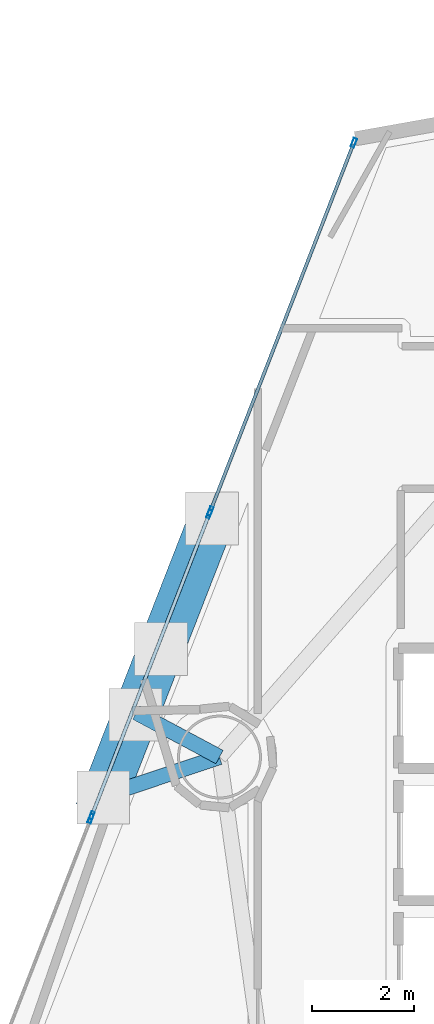
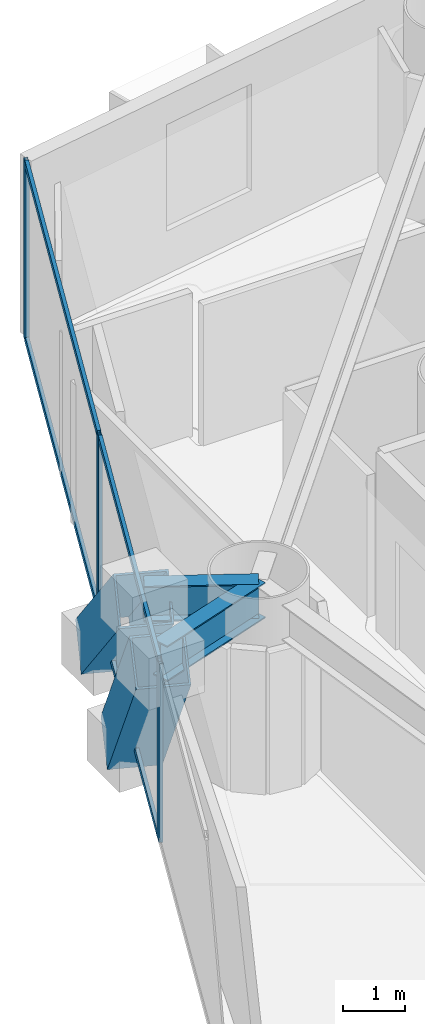
# One storey, part 8 of 23: 11 members, 2 beams, 3 elements without a shape of their own.
"""IFC4 building model written with IfcOpenShell, lengths in metres."""

from ifc_helpers import new_model, si_unit, direction, frame, origin, origin_2d, place, context, subcontext, project, spatial, hollow_rectangle, i_section, extrude, material, layer, layer_set, material_profile, profile_set, type_object, element, aggregate, save


model = new_model("IFC4")

# Units and contexts
model_context = context("Model", 3, precision=1e-05, world=origin(), true_north=direction((0.0, 1.0)))
body_context = subcontext(model_context, "Body", "Model", "MODEL_VIEW")
ifc_project = project(units=[si_unit("LENGTHUNIT", "METRE"), si_unit("AREAUNIT", "SQUARE_METRE"), si_unit("VOLUMEUNIT", "CUBIC_METRE"), si_unit("PLANEANGLEUNIT", "RADIAN"), si_unit("MASSUNIT", "GRAM", prefix="KILO")], contexts=[model_context])

# Site, building, storey
site_placement = place(None, origin())
site = spatial("IfcSite", under=ifc_project, at=site_placement, CompositionType="ELEMENT")
building_placement = place(site_placement, origin())
building = spatial("IfcBuilding", under=site, at=building_placement, Name="Qianvela Tower", CompositionType="ELEMENT")
storey_placement = place(building_placement, frame((0.0, 0.0, 56.199951171875)))
storey = spatial("IfcBuildingStorey", under=building, at=storey_placement, Name="L13", CompositionType="ELEMENT", Elevation=56.199951171875)

# Beams
ifc_material_1 = material(Name="Steel Q355B", Category="steel")
ifc_material_profile_1 = material_profile(ifc_material_1, i_section(OverallWidth=0.300048828125, OverallDepth=0.699951171875, WebThickness=0.012939453125, FlangeThickness=0.02392578125, at=origin_2d()), Name="HN700x300x13x24")
ifc_profile_set_1 = profile_set([ifc_material_profile_1], Name="Steel Q355B")
beam_type = type_object("IfcBeamType", Name="BM-HN700-SPAND", PredefinedType="SPANDREL", material=ifc_profile_set_1)
beam_1_placement = place(storey_placement, frame((22.8291015625, 30.340087890625, 3.16796875), z_axis=(-0.882181602051, 0.4709093554, 0.0), x_axis=(-0.4709093554, -0.882181602051, 0.0)))
element("IfcBeam", 1, at=beam_1_placement, inside=storey, type_object=beam_type, Name="L13 Mega-Brace Column Tie Bracket F2-1", PredefinedType="SPANDREL", context=body_context, shape_type="SweptSolid", body=[
    extrude(i_section(OverallWidth=0.300048828125, OverallDepth=0.699951171875, WebThickness=0.012939453125, FlangeThickness=0.02392578125, at=origin_2d()), origin(), (0.0, 0.0, 1.0), 1.8544921875),
])
beam_2_placement = place(storey_placement, frame((22.8291015625, 30.340087890625, 3.16796875), z_axis=(-0.948356722858, -0.317205810493, 0.0), x_axis=(0.317205810493, -0.948356722858, 0.0)))
element("IfcBeam", 2, at=beam_2_placement, inside=storey, type_object=beam_type, Name="L13 Mega-Brace Column Tie Bracket F2-2", PredefinedType="SPANDREL", context=body_context, shape_type="SweptSolid", body=[
    extrude(i_section(OverallWidth=0.300048828125, OverallDepth=0.699951171875, WebThickness=0.012939453125, FlangeThickness=0.02392578125, at=origin_2d()), origin(), (0.0, 0.0, 1.0), 2.39599609375),
])

# Curtain wall, members
ifc_material_2 = material(Name="Anodised Architectural Aluminium and Insulated Spandrel Panel", Category="aluminium")
ifc_layer_1 = layer(ifc_material_2, 0.179931640625)
ifc_layer_set_1 = layer_set([ifc_layer_1], Name="Anodised Architectural Aluminium and Insulated Spandrel Panel")
curtain_wall_type_1 = type_object("IfcCurtainWallType", Name="CW-BRACEBAY", PredefinedType="USERDEFINED", material=ifc_layer_set_1)
curtain_wall_1_placement = place(storey_placement, origin())
curtain_wall_1 = element("IfcCurtainWall", 3, at=curtain_wall_1_placement, inside=storey, type_object=curtain_wall_type_1, Name="L13 CW-BRACEBAY Curtain Wall 04B", ObjectType="CURTAIN_WALL_SYSTEM", PredefinedType="USERDEFINED")
ifc_material_3 = material(Name="Anodised Architectural Aluminium 6063-T6", Category="aluminium")
ifc_material_profile_2 = material_profile(ifc_material_3, hollow_rectangle(XDim=0.06494140625, YDim=0.159912109375, WallThickness=0.0048828125, at=origin_2d()), Name="ALU-MULL-65x160")
ifc_profile_set_2 = profile_set([ifc_material_profile_2], Name="Anodised Architectural Aluminium 6063-T6")
member_type_1 = type_object("IfcMemberType", Name="CW-BRACEBAY-MULL", PredefinedType="MULLION", material=ifc_profile_set_2)
member_1_placement = place(storey_placement, frame((22.626708984375, 35.114501953125, 0.0), z_axis=(0.0, 0.0, 1.0), x_axis=(0.931817758104, -0.362926529318, 0.0)))
member_1 = element("IfcMember", 4, at=member_1_placement, type_object=member_type_1, Name="CW-9 mullion 1", PredefinedType="MULLION", context=body_context, shape_type="SweptSolid", body=[
    extrude(hollow_rectangle(XDim=0.06494140625, YDim=0.159912109375, WallThickness=0.0048828125, at=origin_2d()), origin(), (0.0, 0.0, 1.0), 3.52001953125),
])
member_2_placement = place(storey_placement, frame((20.3203125, 29.19287109375, 0.0), z_axis=(0.0, 0.0, 1.0), x_axis=(0.931817758104, -0.362926529318, 0.0)))
member_2 = element("IfcMember", 5, at=member_2_placement, type_object=member_type_1, Name="CW-9 mullion 2", PredefinedType="MULLION", context=body_context, shape_type="SweptSolid", body=[
    extrude(hollow_rectangle(XDim=0.06494140625, YDim=0.159912109375, WallThickness=0.0048828125, at=origin_2d()), origin(), (0.0, 0.0, 1.0), 3.52001953125),
])
ifc_material_4 = material(Name="Anodised Architectural Aluminium 6063-T6", Category="aluminium")
ifc_material_profile_3 = material_profile(ifc_material_4, hollow_rectangle(XDim=0.06494140625, YDim=0.1298828125, WallThickness=0.00439453125, at=origin_2d()), Name="ALU-TRAN-65x130")
ifc_profile_set_3 = profile_set([ifc_material_profile_3], Name="Anodised Architectural Aluminium 6063-T6")
member_type_2 = type_object("IfcMemberType", Name="CW-BRACEBAY-TRAN", PredefinedType="USERDEFINED", material=ifc_profile_set_3)
member_3_placement = place(storey_placement, frame((22.614990234375, 35.084228515625, 0.032470703125), z_axis=(-0.362950062261, -0.931808592097, 0.0), x_axis=(0.931808592097, -0.362950062261, 0.0)))
member_3 = element("IfcMember", 6, at=member_3_placement, type_object=member_type_2, Name="CW-9 transom 1.1", ObjectType="TRANSOM", PredefinedType="USERDEFINED", context=body_context, shape_type="SweptSolid", body=[
    extrude(hollow_rectangle(XDim=0.06494140625, YDim=0.1298828125, WallThickness=0.00439453125, at=origin_2d()), origin(), (0.0, 0.0, 1.0), 6.2900390625),
])
member_4_placement = place(storey_placement, frame((22.614990234375, 35.084228515625, 3.487548828125), z_axis=(-0.362950062261, -0.931808592097, 0.0), x_axis=(0.931808592097, -0.362950062261, 0.0)))
member_4 = element("IfcMember", 7, at=member_4_placement, type_object=member_type_2, Name="CW-9 transom 1.2", ObjectType="TRANSOM", PredefinedType="USERDEFINED", context=body_context, shape_type="SweptSolid", body=[
    extrude(hollow_rectangle(XDim=0.06494140625, YDim=0.1298828125, WallThickness=0.00439453125, at=origin_2d()), origin(), (0.0, 0.0, 1.0), 6.2900390625),
])
aggregate(curtain_wall_1, [member_1, member_2, member_3, member_4])

ifc_material_5 = material(Name="Anodised Architectural Aluminium and Low-E Glass", Category="aluminium")
ifc_layer_2 = layer(ifc_material_5, 0.179931640625)
ifc_layer_set_2 = layer_set([ifc_layer_2], Name="Anodised Architectural Aluminium and Low-E Glass")
curtain_wall_type_2 = type_object("IfcCurtainWallType", Name="CW-COLIV-Z12", PredefinedType="USERDEFINED", material=ifc_layer_set_2)
curtain_wall_2_placement = place(storey_placement, origin())
curtain_wall_2 = element("IfcCurtainWall", 8, at=curtain_wall_2_placement, inside=storey, type_object=curtain_wall_type_2, Name="L13 CW-COLIV-Z12 Curtain Wall 04A", ObjectType="CURTAIN_WALL_SYSTEM", PredefinedType="USERDEFINED")
ifc_material_6 = material(Name="Anodised Architectural Aluminium 6063-T6", Category="aluminium")
ifc_material_profile_4 = material_profile(ifc_material_6, hollow_rectangle(XDim=0.070068359375, YDim=0.179931640625, WallThickness=0.0048828125, at=origin_2d()), Name="ALU-MULL-70x180")
ifc_profile_set_4 = profile_set([ifc_material_profile_4], Name="Anodised Architectural Aluminium 6063-T6")
member_type_3 = type_object("IfcMemberType", Name="CW-COLIV-Z12-MULL", PredefinedType="MULLION", material=ifc_profile_set_4)
member_5_placement = place(storey_placement, frame((25.47119140625, 42.417724609375, 0.0), z_axis=(0.0, 0.0, 1.0), x_axis=(0.931814481453, -0.362934942042, 0.0)))
member_5 = element("IfcMember", 9, at=member_5_placement, type_object=member_type_3, Name="CW-3 mullion 1", PredefinedType="MULLION", context=body_context, shape_type="SweptSolid", body=[
    extrude(hollow_rectangle(XDim=0.070068359375, YDim=0.179931640625, WallThickness=0.0048828125, at=origin_2d()), origin(), (0.0, 0.0, 1.0), 3.52001953125),
])
member_6_placement = place(storey_placement, frame((22.651123046875, 35.177490234375, 0.0), z_axis=(0.0, 0.0, 1.0), x_axis=(0.931814481453, -0.362934942042, 0.0)))
member_6 = element("IfcMember", 10, at=member_6_placement, type_object=member_type_3, Name="CW-3 mullion 2", PredefinedType="MULLION", context=body_context, shape_type="SweptSolid", body=[
    extrude(hollow_rectangle(XDim=0.070068359375, YDim=0.179931640625, WallThickness=0.0048828125, at=origin_2d()), origin(), (0.0, 0.0, 1.0), 3.52001953125),
])

# Curtain wall, member
curtain_wall_3_placement = place(storey_placement, origin())
curtain_wall_3 = element("IfcCurtainWall", 11, at=curtain_wall_3_placement, inside=storey, type_object=curtain_wall_type_2, Name="L13 CW-COLIV-Z12 Curtain Wall 04C", ObjectType="CURTAIN_WALL_SYSTEM", PredefinedType="USERDEFINED")
member_7_placement = place(storey_placement, frame((20.2958984375, 29.1298828125, 0.0), z_axis=(0.0, 0.0, 1.0), x_axis=(0.931818480765, -0.362924673871, 0.0)))
member_7 = element("IfcMember", 12, at=member_7_placement, type_object=member_type_3, Name="CW-3 mullion 1", PredefinedType="MULLION", context=body_context, shape_type="SweptSolid", body=[
    extrude(hollow_rectangle(XDim=0.070068359375, YDim=0.179931640625, WallThickness=0.0048828125, at=origin_2d()), origin(), (0.0, 0.0, 1.0), 3.52001953125),
])
aggregate(curtain_wall_3, [member_7])

# Member
ifc_material_7 = material(Name="Anodised Architectural Aluminium 6063-T6", Category="aluminium")
ifc_material_profile_5 = material_profile(ifc_material_7, hollow_rectangle(XDim=0.06494140625, YDim=0.1298828125, WallThickness=0.00439453125, at=origin_2d()), Name="ALU-TRAN-65x130")
ifc_profile_set_5 = profile_set([ifc_material_profile_5], Name="Anodised Architectural Aluminium 6063-T6")
member_type_4 = type_object("IfcMemberType", Name="CW-COLIV-Z12-TRAN", PredefinedType="USERDEFINED", material=ifc_profile_set_5)
member_8_placement = place(storey_placement, frame((25.45849609375, 42.385009765625, 0.032470703125), z_axis=(-0.36295114136, -0.931808171774, 0.0), x_axis=(0.931808171774, -0.36295114136, 0.0)))
member_8 = element("IfcMember", 13, at=member_8_placement, type_object=member_type_4, Name="CW-3 transom 1.1", ObjectType="TRANSOM", PredefinedType="USERDEFINED", context=body_context, shape_type="SweptSolid", body=[
    extrude(hollow_rectangle(XDim=0.06494140625, YDim=0.1298828125, WallThickness=0.00439453125, at=origin_2d()), origin(), (0.0, 0.0, 1.0), 7.699951171875),
])

member_9_placement = place(storey_placement, frame((25.45849609375, 42.385009765625, 3.487548828125), z_axis=(-0.36295114136, -0.931808171774, 0.0), x_axis=(0.931808171774, -0.36295114136, 0.0)))
member_9 = element("IfcMember", 14, at=member_9_placement, type_object=member_type_4, Name="CW-3 transom 1.2", ObjectType="TRANSOM", PredefinedType="USERDEFINED", context=body_context, shape_type="SweptSolid", body=[
    extrude(hollow_rectangle(XDim=0.06494140625, YDim=0.1298828125, WallThickness=0.00439453125, at=origin_2d()), origin(), (0.0, 0.0, 1.0), 7.699951171875),
])

aggregate(curtain_wall_2, [member_5, member_6, member_8, member_9])

# Members
ifc_material_8 = material(Name="Steel Q420GJC", Category="steel")
ifc_material_profile_6 = material_profile(ifc_material_8, hollow_rectangle(XDim=0.89990234375, YDim=0.89990234375, WallThickness=0.035888671875, at=origin_2d()), Name="MBOX-900x900x36")
ifc_profile_set_6 = profile_set([ifc_material_profile_6], Name="Steel Q420GJC")
member_type_5 = type_object("IfcMemberType", Name="MBR-MBRACE-900", PredefinedType="BRACE", material=ifc_profile_set_6)
member_10_placement = place(storey_placement, frame((22.662109375, 34.98486328125, -0.531982421875), z_axis=(-0.267880586195, -0.687754577953, 0.67471003553), x_axis=(0.931812100676, -0.36294105449, 0.0)))
element("IfcMember", 15, at=member_10_placement, inside=storey, type_object=member_type_5, Name="L13 Tier 2 Exterior Mega-Brace F2A", PredefinedType="BRACE", context=body_context, shape_type="SweptSolid", body=[
    extrude(hollow_rectangle(XDim=0.89990234375, YDim=0.89990234375, WallThickness=0.035888671875, at=origin_2d()), origin(), (0.0, 0.0, 1.0), 5.48388671875),
])
member_11_placement = place(storey_placement, frame((21.66748046875, 32.431640625, -0.531982421875), z_axis=(-0.231301482225, -0.593889055262, 0.770581218536), x_axis=(0.931821895016, -0.362915907571, 0.0)))
element("IfcMember", 16, at=member_11_placement, inside=storey, type_object=member_type_5, Name="L13 Tier 2 Exterior Mega-Brace F2B", PredefinedType="BRACE", context=body_context, shape_type="SweptSolid", body=[
    extrude(hollow_rectangle(XDim=0.89990234375, YDim=0.89990234375, WallThickness=0.035888671875, at=origin_2d()), origin(), (0.0, 0.0, 1.0), 4.801513671875),
])

save(model, "model.ifc")
